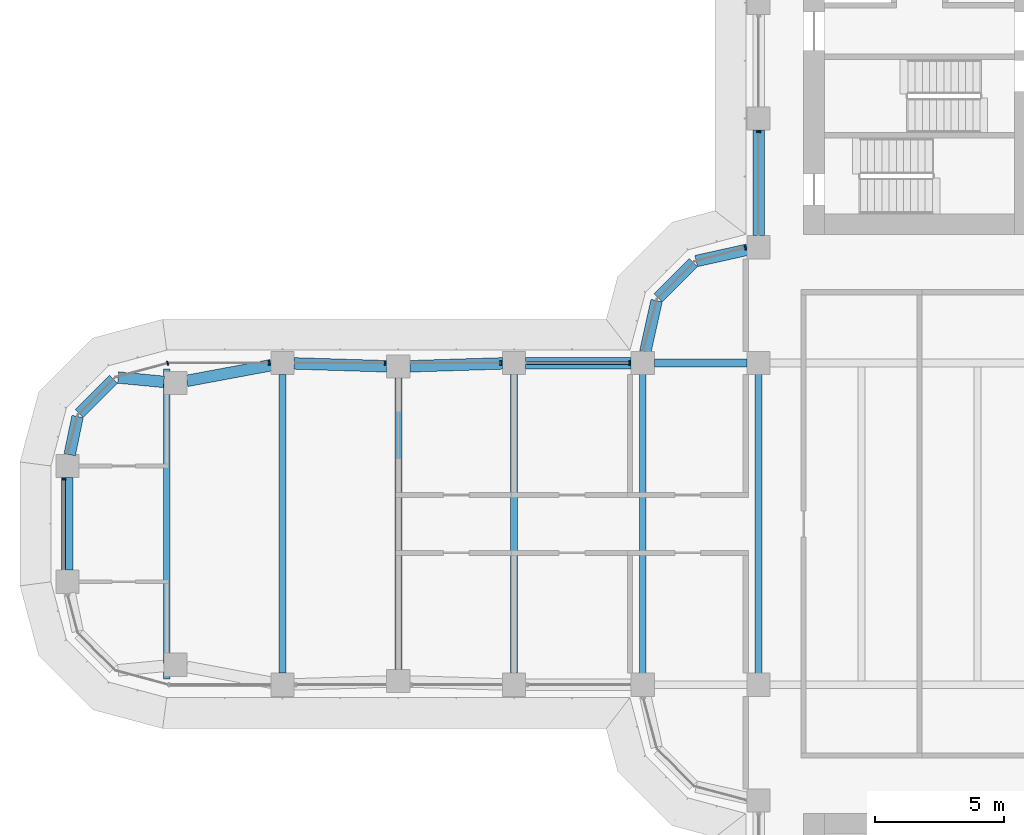
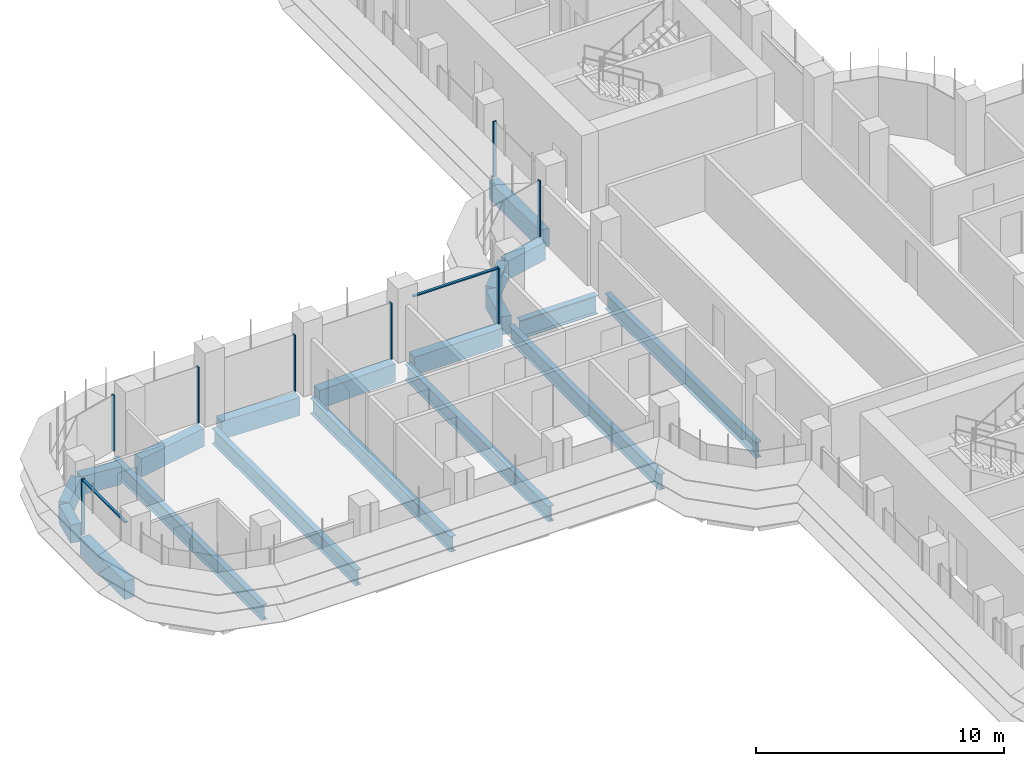
# One storey, part 6 of 23: 19 beams, 10 members, 5 elements without a shape of their own.
"""IFC4 building model written with IfcOpenShell, lengths in metres."""

from ifc_helpers import new_model, si_unit, direction, frame, origin, origin_2d, place, context, subcontext, project, spatial, polyline, rectangle, i_section, outline, extrude, source, transform, mapped, material, material_profile, profile_set, type_object, element, aggregate, save


model = new_model("IFC4")

# Units and contexts
model_context = context("Model", 3, precision=1e-05, world=origin(), true_north=direction((0.0, 1.0)))
body_context = subcontext(model_context, "Body", "Model", "MODEL_VIEW")
ifc_project = project(units=[si_unit("LENGTHUNIT", "METRE"), si_unit("AREAUNIT", "SQUARE_METRE"), si_unit("VOLUMEUNIT", "CUBIC_METRE"), si_unit("PLANEANGLEUNIT", "RADIAN"), si_unit("MASSUNIT", "GRAM", prefix="KILO")], contexts=[model_context])

# Site, building, storey
site_placement = place(None, origin())
site = spatial("IfcSite", under=ifc_project, at=site_placement, CompositionType="ELEMENT")
building_placement = place(site_placement, origin())
building = spatial("IfcBuilding", under=site, at=building_placement, Name="Zarbagh Exchange Tower", CompositionType="ELEMENT")
storey_placement = place(building_placement, frame((0.0, 0.0, 90.39990234375)))
storey = spatial("IfcBuildingStorey", under=building, at=storey_placement, Name="L20", CompositionType="ELEMENT", Elevation=90.39990234375)

# Beams
ifc_material_1 = material(Name="Steel ASTM A992 Gr 50", Category="steel")
ifc_material_profile_1 = material_profile(ifc_material_1, i_section(OverallWidth=0.2666015625, OverallDepth=0.7568359375, WebThickness=0.013916015625, FlangeThickness=0.019287109375, at=origin_2d()), Name="W30X108")
ifc_profile_set_1 = profile_set([ifc_material_profile_1], Name="Steel ASTM A992 Gr 50")
beam_type_1 = type_object("IfcBeamType", Name="Floor beam W30X108", PredefinedType="BEAM", material=ifc_profile_set_1)
for number, where, z_axis, x_axis, name in (
    (1, (-10.75, -6.09765625, -0.5283203125), (0.0, 1.0, 0.0), (-1.0, 0.0, 0.0), "Steel floor beam"),
    (2, (-6.25, -6.09765625, -0.5283203125), (0.0, 1.0, 0.0), (-1.0, 0.0, 0.0), "Steel floor beam"),
):
    element("IfcBeam", number, at=place(storey_placement, frame(where, z_axis=z_axis, x_axis=x_axis)), inside=storey, type_object=beam_type_1, Name=name, PredefinedType="BEAM", context=body_context, shape_type="SweptSolid", body=[
        extrude(i_section(OverallWidth=0.2666015625, OverallDepth=0.7568359375, WebThickness=0.013916015625, FlangeThickness=0.019287109375, at=origin_2d()), origin(), (0.0, 0.0, 1.0), 12.1953125),
    ])
beam_1_placement = place(storey_placement, frame((-15.75, -5.800048828125, -0.5283203125), z_axis=(0.0, 1.0, 0.0), x_axis=(-1.0, 0.0, 0.0)))
element("IfcBeam", 3, at=beam_1_placement, inside=storey, type_object=beam_type_1, Name="Steel floor beam", PredefinedType="BEAM", context=body_context, shape_type="SweptSolid", body=[
    extrude(i_section(OverallWidth=0.2666015625, OverallDepth=0.7568359375, WebThickness=0.013916015625, FlangeThickness=0.019287109375, at=origin_2d()), origin(), (0.0, 0.0, 1.0), 11.60009765625),
])
beam_2_placement = place(storey_placement, frame((-20.25, -5.659912109375, -0.5283203125), z_axis=(0.0, 1.0, 0.0), x_axis=(-1.0, 0.0, 0.0)))
element("IfcBeam", 4, at=beam_2_placement, inside=storey, type_object=beam_type_1, Name="Steel floor beam", PredefinedType="BEAM", context=body_context, shape_type="SweptSolid", body=[
    extrude(i_section(OverallWidth=0.2666015625, OverallDepth=0.7568359375, WebThickness=0.013916015625, FlangeThickness=0.019287109375, at=origin_2d()), origin(), (0.0, 0.0, 1.0), 11.31982421875),
])
beam_3_placement = place(storey_placement, frame((-24.75, -5.800048828125, -0.5283203125), z_axis=(0.0, 1.0, 0.0), x_axis=(-1.0, 0.0, 0.0)))
element("IfcBeam", 5, at=beam_3_placement, inside=storey, type_object=beam_type_1, Name="Steel floor beam", PredefinedType="BEAM", context=body_context, shape_type="SweptSolid", body=[
    extrude(i_section(OverallWidth=0.2666015625, OverallDepth=0.7568359375, WebThickness=0.013916015625, FlangeThickness=0.019287109375, at=origin_2d()), origin(), (0.0, 0.0, 1.0), 11.60009765625),
])
beam_4_placement = place(storey_placement, frame((-29.25, -6.02490234375, -0.5283203125), z_axis=(0.0, 1.0, 0.0), x_axis=(-1.0, 0.0, 0.0)))
element("IfcBeam", 6, at=beam_4_placement, inside=storey, type_object=beam_type_1, Name="Steel floor beam", PredefinedType="BEAM", context=body_context, shape_type="SweptSolid", body=[
    extrude(i_section(OverallWidth=0.2666015625, OverallDepth=0.7568359375, WebThickness=0.013916015625, FlangeThickness=0.019287109375, at=origin_2d()), origin(), (0.0, 0.0, 1.0), 12.0498046875),
])
ifc_material_profile_2 = material_profile(ifc_material_1, i_section(OverallWidth=0.3046875, OverallDepth=0.911865234375, WebThickness=0.015869140625, FlangeThickness=0.02392578125, at=origin_2d()), Name="W36X150")
ifc_profile_set_2 = profile_set([ifc_material_profile_2], Name="Steel ASTM A992 Gr 50")
beam_type_2 = type_object("IfcBeamType", Name="Floor girder W36X150", PredefinedType="BEAM", material=ifc_profile_set_2)
beam_5_placement = place(storey_placement, frame((-10.300048828125, 6.25, -0.605712890625), z_axis=(1.0, 0.0, 0.0), x_axis=(0.0, 1.0, 0.0)))
element("IfcBeam", 7, at=beam_5_placement, inside=storey, type_object=beam_type_2, Name="Steel girder", PredefinedType="BEAM", context=body_context, shape_type="SweptSolid", body=[
    extrude(i_section(OverallWidth=0.3046875, OverallDepth=0.911865234375, WebThickness=0.015869140625, FlangeThickness=0.02392578125, at=origin_2d()), origin(), (0.0, 0.0, 1.0), 3.60009765625),
])
ifc_material_2 = material(Name="Concrete C60/75", Category="concrete")
ifc_material_profile_3 = material_profile(ifc_material_2, rectangle(XDim=0.449951171875, YDim=0.89990234375, at=origin_2d()), Name="RC spandrel beam 450 x 900 C60/75")
ifc_profile_set_3 = profile_set([ifc_material_profile_3], Name="Concrete C60/75")
beam_type_3 = type_object("IfcBeamType", Name="RC spandrel beam 450 x 900 C60/75", PredefinedType="SPANDREL", material=ifc_profile_set_3)
beam_6_placement = place(storey_placement, frame((-33.110107421875, -1.800048828125, -0.599853515625), z_axis=(0.0, 1.0, 0.0), x_axis=(-1.0, 0.0, 0.0)))
element("IfcBeam", 8, at=beam_6_placement, inside=storey, type_object=beam_type_3, Name="RC spandrel beam", PredefinedType="SPANDREL", context=body_context, shape_type="SweptSolid", body=[
    extrude(rectangle(XDim=0.449951171875, YDim=0.89990234375, at=origin_2d()), origin(), (0.0, 0.0, 1.0), 3.60009765625),
])
beam_7_placement = place(storey_placement, frame((-33.01904296875, 2.690673828125, -0.599853515625), z_axis=(0.202275417995, 0.979328675816, 0.0), x_axis=(-0.979328675816, 0.202275417995, 0.0)))
element("IfcBeam", 9, at=beam_7_placement, inside=storey, type_object=beam_type_3, Name="RC spandrel beam", PredefinedType="SPANDREL", context=body_context, shape_type="SweptSolid", body=[
    extrude(rectangle(XDim=0.449951171875, YDim=0.89990234375, at=origin_2d()), origin(), (0.0, 0.0, 1.0), 1.515869140625),
])
beam_8_placement = place(storey_placement, frame((-32.651123046875, 4.288818359375, -0.599853515625), z_axis=(0.707106781187, 0.707106781187, 0.0), x_axis=(-0.707106781187, 0.707106781187, 0.0)))
element("IfcBeam", 10, at=beam_8_placement, inside=storey, type_object=beam_type_3, Name="RC spandrel beam", PredefinedType="SPANDREL", context=body_context, shape_type="SweptSolid", body=[
    extrude(rectangle(XDim=0.449951171875, YDim=0.89990234375, at=origin_2d()), origin(), (0.0, 0.0, 1.0), 1.887939453125),
])
beam_9_placement = place(storey_placement, frame((-31.135498046875, 5.688720703125, -0.599853515625), z_axis=(0.995433267802, -0.095459988228, 0.0), x_axis=(0.095459988228, 0.995433267802, 0.0)))
element("IfcBeam", 11, at=beam_9_placement, inside=storey, type_object=beam_type_3, Name="RC spandrel beam", PredefinedType="SPANDREL", context=body_context, shape_type="SweptSolid", body=[
    extrude(rectangle(XDim=0.449951171875, YDim=0.89990234375, at=origin_2d()), origin(), (0.0, 0.0, 1.0), 1.78759765625),
])
beam_10_placement = place(storey_placement, frame((-28.465576171875, 5.5576171875, -0.599853515625), z_axis=(0.98308156541, 0.183168326277, 0.0), x_axis=(-0.183168326277, 0.98308156541, 0.0)))
element("IfcBeam", 12, at=beam_10_placement, inside=storey, type_object=beam_type_3, Name="RC spandrel beam", PredefinedType="SPANDREL", context=body_context, shape_type="SweptSolid", body=[
    extrude(rectangle(XDim=0.449951171875, YDim=0.89990234375, at=origin_2d()), origin(), (0.0, 0.0, 1.0), 3.32958984375),
])
for number, where, z_axis, x_axis, name in (
    (13, (-24.30029296875, 6.236083984375, -0.599853515625), (0.999516035224, -0.031107801747, 0.0), (0.031107801747, 0.999516035224, 0.0), "RC spandrel beam"),
    (14, (-19.80029296875, 6.1240234375, -0.599853515625), (0.999516035224, 0.031107801747, 0.0), (-0.031107801747, 0.999516035224, 0.0), "RC spandrel beam"),
):
    element("IfcBeam", number, at=place(storey_placement, frame(where, z_axis=z_axis, x_axis=x_axis)), inside=storey, type_object=beam_type_3, Name=name, PredefinedType="SPANDREL", context=body_context, shape_type="SweptSolid", body=[
        extrude(rectangle(XDim=0.449951171875, YDim=0.89990234375, at=origin_2d()), origin(), (0.0, 0.0, 1.0), 3.602294921875),
    ])
beam_11_placement = place(storey_placement, frame((-15.300048828125, 6.25, -0.599853515625), z_axis=(1.0, 0.0, 0.0), x_axis=(0.0, 1.0, 0.0)))
element("IfcBeam", 15, at=beam_11_placement, inside=storey, type_object=beam_type_3, Name="RC spandrel beam", PredefinedType="SPANDREL", context=body_context, shape_type="SweptSolid", body=[
    extrude(rectangle(XDim=0.449951171875, YDim=0.89990234375, at=origin_2d()), origin(), (0.0, 0.0, 1.0), 4.10009765625),
])
beam_12_placement = place(storey_placement, frame((-10.65283203125, 6.689453125, -0.599853515625), z_axis=(0.216117666208, 0.976367325525, 0.0), x_axis=(-0.976367325525, 0.216117666208, 0.0)))
element("IfcBeam", 16, at=beam_12_placement, inside=storey, type_object=beam_type_3, Name="RC spandrel beam", PredefinedType="SPANDREL", context=body_context, shape_type="SweptSolid", body=[
    extrude(rectangle(XDim=0.449951171875, YDim=0.89990234375, at=origin_2d()), origin(), (0.0, 0.0, 1.0), 2.03564453125),
])
beam_13_placement = place(storey_placement, frame((-10.15234375, 8.78759765625, -0.599853515625), z_axis=(0.707106781187, 0.707106781187, 0.0), x_axis=(-0.707106781187, 0.707106781187, 0.0)))
element("IfcBeam", 17, at=beam_13_placement, inside=storey, type_object=beam_type_3, Name="RC spandrel beam", PredefinedType="SPANDREL", context=body_context, shape_type="SweptSolid", body=[
    extrude(rectangle(XDim=0.449951171875, YDim=0.89990234375, at=origin_2d()), origin(), (0.0, 0.0, 1.0), 1.929931640625),
])
beam_14_placement = place(storey_placement, frame((-8.677001953125, 10.212890625, -0.599853515625), z_axis=(0.976367325525, 0.216117666208, 0.0), x_axis=(-0.216117666208, 0.976367325525, 0.0)))
element("IfcBeam", 18, at=beam_14_placement, inside=storey, type_object=beam_type_3, Name="RC spandrel beam", PredefinedType="SPANDREL", context=body_context, shape_type="SweptSolid", body=[
    extrude(rectangle(XDim=0.449951171875, YDim=0.89990234375, at=origin_2d()), origin(), (0.0, 0.0, 1.0), 2.03564453125),
])
beam_15_placement = place(storey_placement, frame((-6.25, 11.199951171875, -0.599853515625), z_axis=(0.0, 1.0, 0.0), x_axis=(-1.0, 0.0, 0.0)))
element("IfcBeam", 19, at=beam_15_placement, inside=storey, type_object=beam_type_3, Name="RC spandrel beam", PredefinedType="SPANDREL", context=body_context, shape_type="SweptSolid", body=[
    extrude(rectangle(XDim=0.449951171875, YDim=0.89990234375, at=origin_2d()), origin(), (0.0, 0.0, 1.0), 4.10009765625),
])

# Curtain wall, member
ifc_material_3 = material(Name="Anodised aluminium frame and glazing", Category="aluminium")
curtain_wall_type = type_object("IfcCurtainWallType", Name="CWA Ribbon glazing, lower zones", PredefinedType="NOTDEFINED", material=ifc_material_3)
curtain_wall_1_placement = place(storey_placement, origin())
curtain_wall_1 = element("IfcCurtainWall", 20, at=curtain_wall_1_placement, inside=storey, type_object=curtain_wall_type, Name="CWA28 curtain wall", PredefinedType="NOTDEFINED")
ifc_material_4 = material(Name="Anodised aluminium frame", Category="aluminium")
member_type_1 = type_object("IfcMemberType", Name="MUA Mullion, anodised aluminium frame", PredefinedType="MULLION", material=ifc_material_4)
shared_shape_1 = source(origin(), body_context, "Body", "SweptSolid", [
    extrude(outline(polyline([(0.0, -0.080078125), (0.06005859375, -0.080078125), (0.06005859375, 0.080078125), (0.0, 0.080078125), (0.0, -0.080078125)])), origin(), (0.0, 0.0, 1.0), 2.75),
])
placement = place(storey_placement, origin())
member_1 = element("IfcMember", 21, at=placement, type_object=member_type_1, Name="CWA28 mullion 5.1", PredefinedType="MULLION", context=body_context, shape_type="MappedRepresentation", body=[
    mapped(shared_shape_1, transform((-6.25, 15.260009765625, 0.0), x_axis=(0.0, -1.0, 0.0), y_axis=(1.0, 0.0, 0.0), z_axis=(0.0, 0.0, 1.0))),
])
aggregate(curtain_wall_1, [member_1])

curtain_wall_2_placement = place(storey_placement, origin())
curtain_wall_2 = element("IfcCurtainWall", 22, at=curtain_wall_2_placement, inside=storey, type_object=curtain_wall_type, Name="CWA29 curtain wall", PredefinedType="NOTDEFINED")
member_2 = element("IfcMember", 23, at=placement, type_object=member_type_1, Name="CWA29 mullion 1.1", PredefinedType="MULLION", context=body_context, shape_type="MappedRepresentation", body=[
    mapped(shared_shape_1, transform((-6.739990234375, 10.735107421875, 0.0), x_axis=(-0.965924289636, -0.258824779902, 0.0), y_axis=(0.258824779902, -0.965924289636, 0.0), z_axis=(0.0, 0.0, 1.0))),
])
aggregate(curtain_wall_2, [member_2])

# Curtain wall, members
curtain_wall_3_placement = place(storey_placement, origin())
curtain_wall_3 = element("IfcCurtainWall", 24, at=curtain_wall_3_placement, inside=storey, type_object=curtain_wall_type, Name="CWA32 curtain wall", PredefinedType="NOTDEFINED")
member_3 = element("IfcMember", 25, at=placement, type_object=member_type_1, Name="CWA32 mullion 1.1", PredefinedType="MULLION", context=body_context, shape_type="MappedRepresentation", body=[
    mapped(shared_shape_1, transform((-11.239990234375, 6.25, 0.0), x_axis=(-1.0, 0.0, 0.0), y_axis=(0.0, -1.0, 0.0), z_axis=(0.0, 0.0, 1.0))),
])
member_4 = element("IfcMember", 26, at=placement, type_object=member_type_1, Name="CWA32 mullion 2.1", PredefinedType="MULLION", context=body_context, shape_type="MappedRepresentation", body=[
    mapped(shared_shape_1, transform((-16.239990234375, 6.25, 0.0), x_axis=(-1.0, 0.0, 0.0), y_axis=(0.0, -1.0, 0.0), z_axis=(0.0, 0.0, 1.0))),
])
member_5 = element("IfcMember", 27, at=placement, type_object=member_type_1, Name="CWA32 mullion 3.1", PredefinedType="MULLION", context=body_context, shape_type="MappedRepresentation", body=[
    mapped(shared_shape_1, transform((-20.739990234375, 6.25, 0.0), x_axis=(-1.0, 0.0, 0.0), y_axis=(0.0, -1.0, 0.0), z_axis=(0.0, 0.0, 1.0))),
])
member_6 = element("IfcMember", 28, at=placement, type_object=member_type_1, Name="CWA32 mullion 4.1", PredefinedType="MULLION", context=body_context, shape_type="MappedRepresentation", body=[
    mapped(shared_shape_1, transform((-25.239990234375, 6.25, 0.0), x_axis=(-1.0, 0.0, 0.0), y_axis=(0.0, -1.0, 0.0), z_axis=(0.0, 0.0, 1.0))),
])

# Curtain wall, member
curtain_wall_4_placement = place(storey_placement, origin())
curtain_wall_4 = element("IfcCurtainWall", 29, at=curtain_wall_4_placement, inside=storey, type_object=curtain_wall_type, Name="CWA33 curtain wall", PredefinedType="NOTDEFINED")
member_7 = element("IfcMember", 30, at=placement, type_object=member_type_1, Name="CWA33 mullion 1.1", PredefinedType="MULLION", context=body_context, shape_type="MappedRepresentation", body=[
    mapped(shared_shape_1, transform((-29.18408203125, 6.25, 0.0), x_axis=(-0.965924289636, -0.258824779902, 0.0), y_axis=(0.258824779902, -0.965924289636, 0.0), z_axis=(0.0, 0.0, 1.0))),
])
aggregate(curtain_wall_4, [member_7])

curtain_wall_5_placement = place(storey_placement, origin())
curtain_wall_5 = element("IfcCurtainWall", 31, at=curtain_wall_5_placement, inside=storey, type_object=curtain_wall_type, Name="CWA36 curtain wall", PredefinedType="NOTDEFINED")
member_8 = element("IfcMember", 32, at=placement, type_object=member_type_1, Name="CWA36 mullion 1.1", PredefinedType="MULLION", context=body_context, shape_type="MappedRepresentation", body=[
    mapped(shared_shape_1, transform((-33.25, 1.760009765625, 0.0), x_axis=(0.0, -1.0, 0.0), y_axis=(1.0, 0.0, 0.0), z_axis=(0.0, 0.0, 1.0))),
])

# Member
member_type_2 = type_object("IfcMemberType", Name="TRA Transom, anodised aluminium frame", PredefinedType="USERDEFINED", material=ifc_material_4)
shared_shape_2 = source(origin(), body_context, "Body", "SweptSolid", [
    extrude(outline(polyline([(-0.06005859375, -0.06005859375), (0.0, -0.06005859375), (0.0, 0.06005859375), (-0.06005859375, 0.06005859375), (-0.06005859375, -0.06005859375)])), origin(), (0.0, 0.0, 1.0), 3.9599609375),
])
member_9 = element("IfcMember", 33, at=placement, type_object=member_type_2, Name="CWA32 transom 1.1", ObjectType="TRANSOM", PredefinedType="USERDEFINED", context=body_context, shape_type="MappedRepresentation", body=[
    mapped(shared_shape_2, transform((-11.300048828125, 6.25, 2.75), x_axis=(0.0, 0.0, 1.0), y_axis=(0.0, 1.0, 0.0), z_axis=(-1.0, 0.0, 0.0))),
])

aggregate(curtain_wall_3, [member_3, member_9, member_4, member_5, member_6])

shared_shape_3 = source(origin(), body_context, "Body", "SweptSolid", [
    extrude(outline(polyline([(-0.06005859375, -0.06005859375), (0.0, -0.06005859375), (0.0, 0.06005859375), (-0.06005859375, 0.06005859375), (-0.06005859375, -0.06005859375)])), origin(), (0.0, 0.0, 1.0), 3.4599609375),
])
member_10 = element("IfcMember", 34, at=placement, type_object=member_type_2, Name="CWA36 transom 1.1", ObjectType="TRANSOM", PredefinedType="USERDEFINED", context=body_context, shape_type="MappedRepresentation", body=[
    mapped(shared_shape_3, transform((-33.25, 1.699951171875, 2.75), x_axis=(0.0, 0.0, 1.0), y_axis=(-1.0, 0.0, 0.0), z_axis=(0.0, -1.0, 0.0))),
])

aggregate(curtain_wall_5, [member_8, member_10])

save(model, "model.ifc")
